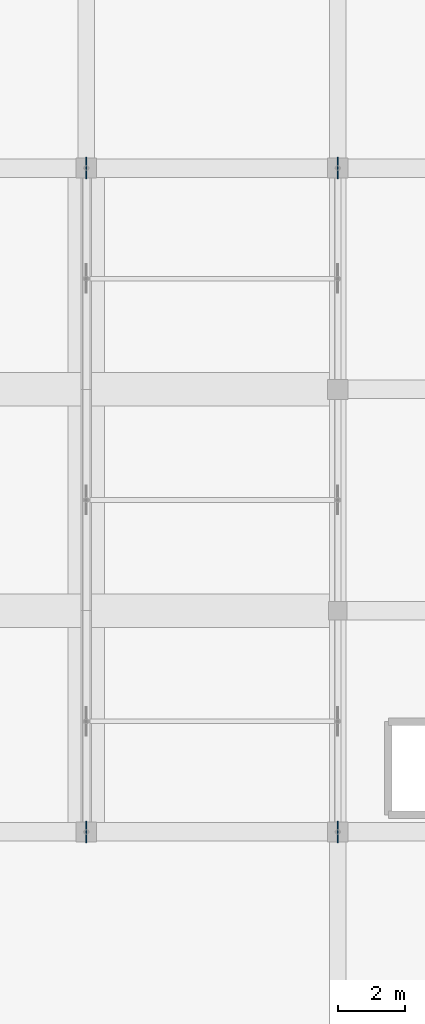
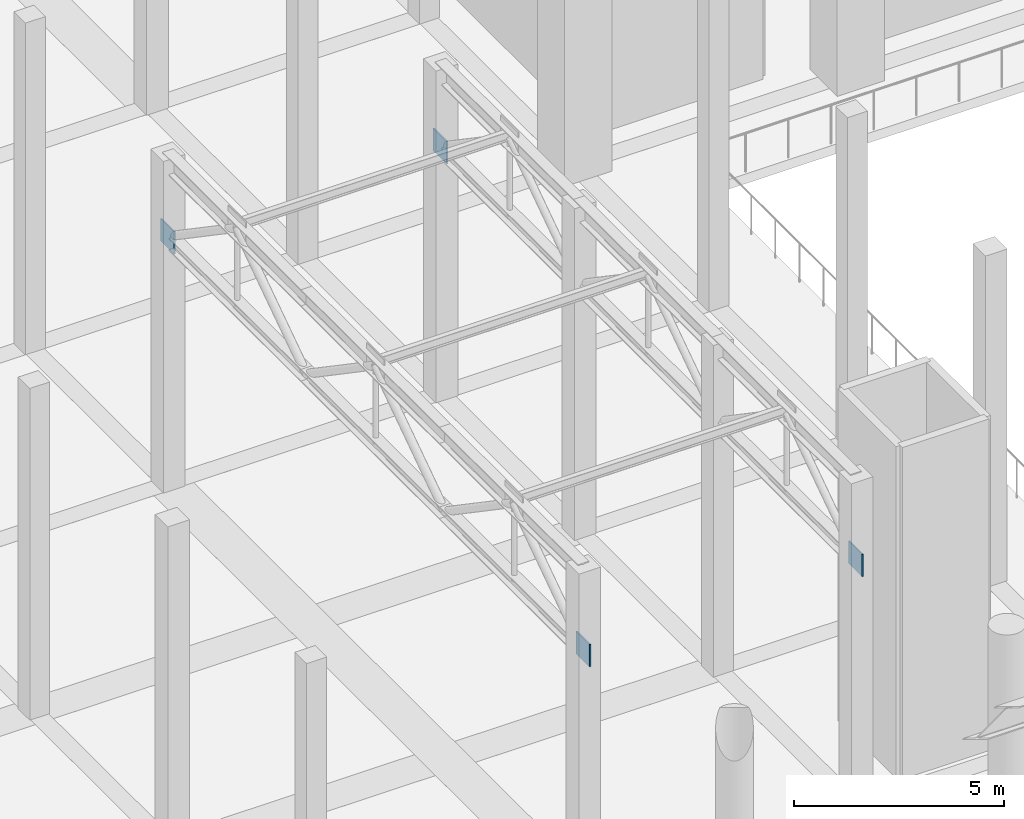
# One storey, part 59 of 80: 4 plates.
"""IFC4 building model written with IfcOpenShell, lengths in metres."""

from ifc_helpers import new_model, si_unit, direction, frame, origin, origin_2d, place, context, subcontext, project, spatial, rectangle, extrude, material, layer, layer_set, type_object, element, save


model = new_model("IFC4")

# Units and contexts
model_context = context("Model", 3, precision=1e-05, world=origin(), true_north=direction((0.0, 1.0)))
body_context = subcontext(model_context, "Body", "Model", "MODEL_VIEW")
ifc_project = project(units=[si_unit("LENGTHUNIT", "METRE"), si_unit("AREAUNIT", "SQUARE_METRE"), si_unit("VOLUMEUNIT", "CUBIC_METRE"), si_unit("PLANEANGLEUNIT", "RADIAN"), si_unit("MASSUNIT", "GRAM", prefix="KILO")], contexts=[model_context])

# Site, building, storey
site_placement = place(None, origin())
site = spatial("IfcSite", under=ifc_project, at=site_placement, CompositionType="ELEMENT")
building_placement = place(site_placement, origin())
building = spatial("IfcBuilding", under=site, at=building_placement, Name="Akrevak Sports Hall", CompositionType="ELEMENT")
storey_placement = place(building_placement, frame((0.0, 0.0, 14.0)))
storey = spatial("IfcBuildingStorey", under=building, at=storey_placement, Name="L03", CompositionType="ELEMENT", Elevation=14.0)

# Plates
ifc_material = material(Name="Steel S355", Category="steel")
ifc_layer = layer(ifc_material, 0.035888671875, Name="Steel S355")
ifc_layer_set = layer_set([ifc_layer], Name="Steel S355")
plate_type = type_object("IfcPlateType", Name="STR-PLT-ANCHOR-36", PredefinedType="SHEET", material=ifc_layer_set)
for number, where, z_axis, x_axis, name in (
    (1, (22.5, 28.800048828125, 6.864990234375), (0.0, 0.0, 1.0), (0.0, 1.0, 0.0), "Embedded Steel Anchor Plate TRS-1-E"),
    (2, (22.5, 48.60009765625, 6.864990234375), (0.0, 0.0, 1.0), (0.0, 1.0, 0.0), "Embedded Steel Anchor Plate TRS-1-H"),
    (3, (30.0, 28.800048828125, 6.864990234375), (0.0, 0.0, 1.0), (0.0, 1.0, 0.0), "Embedded Steel Anchor Plate TRS-2-E"),
    (4, (30.0, 48.60009765625, 6.864990234375), (0.0, 0.0, 1.0), (0.0, 1.0, 0.0), "Embedded Steel Anchor Plate TRS-2-H"),
):
    element("IfcPlate", number, at=place(storey_placement, frame(where, z_axis=z_axis, x_axis=x_axis)), inside=storey, type_object=plate_type, Name=name, PredefinedType="SHEET", context=body_context, shape_type="SweptSolid", body=[
        extrude(rectangle(XDim=0.64990234375, YDim=0.035888671875, at=origin_2d()), origin(), (0.0, 0.0, 1.0), 0.64990234375),
    ])

save(model, "model.ifc")
